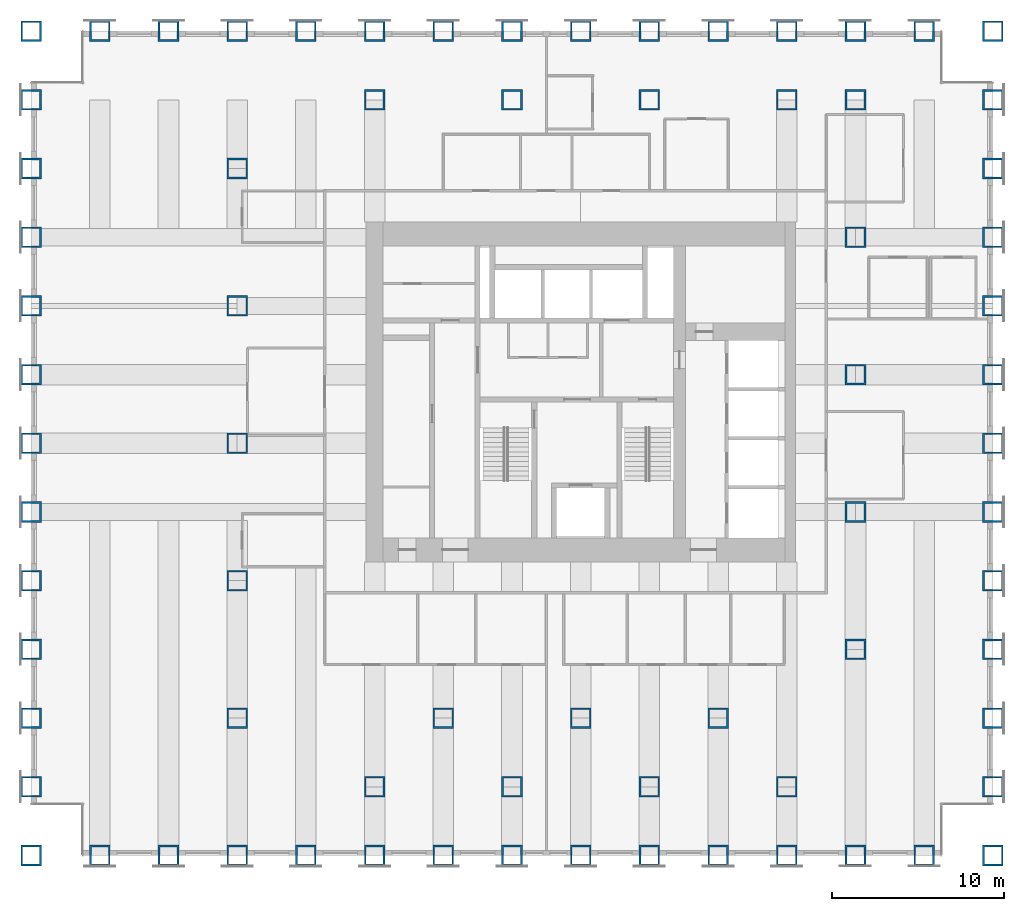
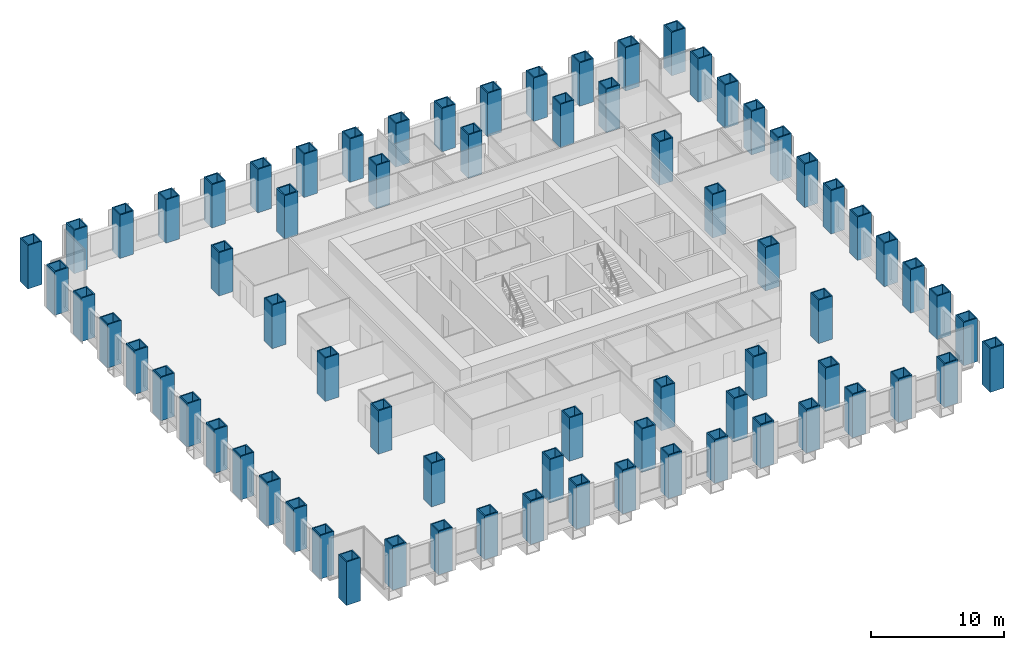
# One storey, part 1 of 14: 73 columns.
"""IFC4 building model written with IfcOpenShell, lengths in metres."""

from ifc_helpers import new_model, si_unit, direction, frame, origin, origin_2d, place, context, subcontext, project, spatial, hollow_rectangle, extrude, material, material_profile, profile_set, type_object, element, save


model = new_model("IFC4")

# Units and contexts
model_context = context("Model", 3, precision=1e-05, world=origin(), true_north=direction((0.0, 1.0)))
body_context = subcontext(model_context, "Body", "Model", "MODEL_VIEW")
ifc_project = project(units=[si_unit("LENGTHUNIT", "METRE"), si_unit("AREAUNIT", "SQUARE_METRE"), si_unit("VOLUMEUNIT", "CUBIC_METRE"), si_unit("PLANEANGLEUNIT", "RADIAN"), si_unit("MASSUNIT", "GRAM", prefix="KILO")], contexts=[model_context])

# Site, building, storey
site_placement = place(None, origin())
site = spatial("IfcSite", under=ifc_project, at=site_placement, CompositionType="ELEMENT")
building_placement = place(site_placement, origin())
building = spatial("IfcBuilding", under=site, at=building_placement, Name="Rimbunsela Tower", CompositionType="ELEMENT")
storey_placement = place(building_placement, frame((0.0, 0.0, 47.0)))
storey = spatial("IfcBuildingStorey", under=building, at=storey_placement, Name="L11", CompositionType="ELEMENT", Elevation=47.0)

# Columns
ifc_material = material(Name="Steel BJ 55 (fy 410 MPa)", Category="steel")
ifc_material_profile = material_profile(ifc_material, hollow_rectangle(XDim=1.199951171875, YDim=1.199951171875, WallThickness=0.10009765625, at=origin_2d()), Name="BOX 1200x1200x100")
ifc_profile_set = profile_set([ifc_material_profile], Name="Steel BJ 55 (fy 410 MPa)")
column_type = type_object("IfcColumnType", Name="Column BOX 1200x1200x100", PredefinedType="COLUMN", material=ifc_profile_set)
for number, where, z_axis, x_axis, name in (
    (1, (-2.0, 0.0, 0.0), (0.0, 0.0, 1.0), (1.0, 0.0, 0.0), "Column C7 2/B L11"),
    (2, (-2.0, 4.0, 0.0), (0.0, 0.0, 1.0), (1.0, 0.0, 0.0), "Column C7 2/C L11"),
    (3, (-2.0, 8.0, 0.0), (0.0, 0.0, 1.0), (1.0, 0.0, 0.0), "Column C7 2/D L11"),
    (4, (-2.0, 12.0, 0.0), (0.0, 0.0, 1.0), (1.0, 0.0, 0.0), "Column C7 2/E L11"),
    (5, (-2.0, 16.0, 0.0), (0.0, 0.0, 1.0), (1.0, 0.0, 0.0), "Column C7 2/F L11"),
    (6, (-2.0, 20.0, 0.0), (0.0, 0.0, 1.0), (1.0, 0.0, 0.0), "Column C7 2/G L11"),
    (7, (-2.0, 24.0, 0.0), (0.0, 0.0, 1.0), (1.0, 0.0, 0.0), "Column C7 2/H L11"),
    (8, (-2.0, 28.0, 0.0), (0.0, 0.0, 1.0), (1.0, 0.0, 0.0), "Column C7 2/J L11"),
    (9, (-2.0, 32.0, 0.0), (0.0, 0.0, 1.0), (1.0, 0.0, 0.0), "Column C7 2/K L11"),
    (10, (-2.0, 36.0, 0.0), (0.0, 0.0, 1.0), (1.0, 0.0, 0.0), "Column C7 2/L L11"),
    (11, (-2.0, 40.0, 0.0), (0.0, 0.0, 1.0), (1.0, 0.0, 0.0), "Column C7 2/M L11"),
    (12, (-2.0, 44.0, 0.0), (0.0, 0.0, 1.0), (1.0, 0.0, 0.0), "Column C7 2/N L11"),
    (13, (-2.0, 48.0, 0.0), (0.0, 0.0, 1.0), (1.0, 0.0, 0.0), "Column C7 2/P L11"),
    (14, (2.0, 0.0, 0.0), (0.0, 0.0, 1.0), (1.0, 0.0, 0.0), "Column C7 3/B L11"),
    (15, (2.0, 48.0, 0.0), (0.0, 0.0, 1.0), (1.0, 0.0, 0.0), "Column C7 3/P L11"),
    (16, (6.0, 0.0, 0.0), (0.0, 0.0, 1.0), (1.0, 0.0, 0.0), "Column C7 4/B L11"),
    (17, (6.0, 48.0, 0.0), (0.0, 0.0, 1.0), (1.0, 0.0, 0.0), "Column C7 4/P L11"),
    (18, (10.0, 0.0, 0.0), (0.0, 0.0, 1.0), (1.0, 0.0, 0.0), "Column C7 5/B L11"),
    (19, (10.0, 48.0, 0.0), (0.0, 0.0, 1.0), (1.0, 0.0, 0.0), "Column C7 5/P L11"),
    (20, (14.0, 0.0, 0.0), (0.0, 0.0, 1.0), (1.0, 0.0, 0.0), "Column C7 6/B L11"),
    (21, (14.0, 48.0, 0.0), (0.0, 0.0, 1.0), (1.0, 0.0, 0.0), "Column C7 6/P L11"),
    (22, (18.0, 0.0, 0.0), (0.0, 0.0, 1.0), (1.0, 0.0, 0.0), "Column C7 7/B L11"),
    (23, (18.0, 48.0, 0.0), (0.0, 0.0, 1.0), (1.0, 0.0, 0.0), "Column C7 7/P L11"),
    (24, (22.0, 0.0, 0.0), (0.0, 0.0, 1.0), (1.0, 0.0, 0.0), "Column C7 8/B L11"),
    (25, (22.0, 48.0, 0.0), (0.0, 0.0, 1.0), (1.0, 0.0, 0.0), "Column C7 8/P L11"),
    (26, (26.0, 0.0, 0.0), (0.0, 0.0, 1.0), (1.0, 0.0, 0.0), "Column C7 9/B L11"),
    (27, (26.0, 48.0, 0.0), (0.0, 0.0, 1.0), (1.0, 0.0, 0.0), "Column C7 9/P L11"),
    (28, (30.0, 0.0, 0.0), (0.0, 0.0, 1.0), (1.0, 0.0, 0.0), "Column C7 10/B L11"),
    (29, (30.0, 48.0, 0.0), (0.0, 0.0, 1.0), (1.0, 0.0, 0.0), "Column C7 10/P L11"),
    (30, (34.0, 0.0, 0.0), (0.0, 0.0, 1.0), (1.0, 0.0, 0.0), "Column C7 11/B L11"),
    (31, (34.0, 48.0, 0.0), (0.0, 0.0, 1.0), (1.0, 0.0, 0.0), "Column C7 11/P L11"),
    (32, (38.0, 0.0, 0.0), (0.0, 0.0, 1.0), (1.0, 0.0, 0.0), "Column C7 12/B L11"),
    (33, (38.0, 48.0, 0.0), (0.0, 0.0, 1.0), (1.0, 0.0, 0.0), "Column C7 12/P L11"),
    (34, (42.0, 0.0, 0.0), (0.0, 0.0, 1.0), (1.0, 0.0, 0.0), "Column C7 13/B L11"),
    (35, (42.0, 48.0, 0.0), (0.0, 0.0, 1.0), (1.0, 0.0, 0.0), "Column C7 13/P L11"),
    (36, (46.0, 0.0, 0.0), (0.0, 0.0, 1.0), (1.0, 0.0, 0.0), "Column C7 14/B L11"),
    (37, (46.0, 48.0, 0.0), (0.0, 0.0, 1.0), (1.0, 0.0, 0.0), "Column C7 14/P L11"),
    (38, (50.0, 0.0, 0.0), (0.0, 0.0, 1.0), (1.0, 0.0, 0.0), "Column C7 15/B L11"),
    (39, (50.0, 48.0, 0.0), (0.0, 0.0, 1.0), (1.0, 0.0, 0.0), "Column C7 15/P L11"),
    (40, (54.0, 0.0, 0.0), (0.0, 0.0, 1.0), (1.0, 0.0, 0.0), "Column C7 16/B L11"),
    (41, (54.0, 4.0, 0.0), (0.0, 0.0, 1.0), (1.0, 0.0, 0.0), "Column C7 16/C L11"),
    (42, (54.0, 8.0, 0.0), (0.0, 0.0, 1.0), (1.0, 0.0, 0.0), "Column C7 16/D L11"),
    (43, (54.0, 12.0, 0.0), (0.0, 0.0, 1.0), (1.0, 0.0, 0.0), "Column C7 16/E L11"),
    (44, (54.0, 16.0, 0.0), (0.0, 0.0, 1.0), (1.0, 0.0, 0.0), "Column C7 16/F L11"),
    (45, (54.0, 20.0, 0.0), (0.0, 0.0, 1.0), (1.0, 0.0, 0.0), "Column C7 16/G L11"),
    (46, (54.0, 24.0, 0.0), (0.0, 0.0, 1.0), (1.0, 0.0, 0.0), "Column C7 16/H L11"),
    (47, (54.0, 28.0, 0.0), (0.0, 0.0, 1.0), (1.0, 0.0, 0.0), "Column C7 16/J L11"),
    (48, (54.0, 32.0, 0.0), (0.0, 0.0, 1.0), (1.0, 0.0, 0.0), "Column C7 16/K L11"),
    (49, (54.0, 36.0, 0.0), (0.0, 0.0, 1.0), (1.0, 0.0, 0.0), "Column C7 16/L L11"),
    (50, (54.0, 40.0, 0.0), (0.0, 0.0, 1.0), (1.0, 0.0, 0.0), "Column C7 16/M L11"),
    (51, (54.0, 44.0, 0.0), (0.0, 0.0, 1.0), (1.0, 0.0, 0.0), "Column C7 16/N L11"),
    (52, (54.0, 48.0, 0.0), (0.0, 0.0, 1.0), (1.0, 0.0, 0.0), "Column C7 16/P L11"),
    (53, (10.0, 8.0, 0.0), (0.0, 0.0, 1.0), (1.0, 0.0, 0.0), "Column C7 5/D L11"),
    (54, (10.0, 16.0, 0.0), (0.0, 0.0, 1.0), (1.0, 0.0, 0.0), "Column C7 5/F L11"),
    (55, (10.0, 24.0, 0.0), (0.0, 0.0, 1.0), (1.0, 0.0, 0.0), "Column C7 5/H L11"),
    (56, (10.0, 32.0, 0.0), (0.0, 0.0, 1.0), (1.0, 0.0, 0.0), "Column C7 5/K L11"),
    (57, (10.0, 40.0, 0.0), (0.0, 0.0, 1.0), (1.0, 0.0, 0.0), "Column C7 5/M L11"),
    (58, (18.0, 4.0, 0.0), (0.0, 0.0, 1.0), (1.0, 0.0, 0.0), "Column C7 7/C L11"),
    (59, (18.0, 44.0, 0.0), (0.0, 0.0, 1.0), (1.0, 0.0, 0.0), "Column C7 7/N L11"),
    (60, (22.0, 8.0, 0.0), (0.0, 0.0, 1.0), (1.0, 0.0, 0.0), "Column C7 8/D L11"),
    (61, (26.0, 4.0, 0.0), (0.0, 0.0, 1.0), (1.0, 0.0, 0.0), "Column C7 9/C L11"),
    (62, (26.0, 44.0, 0.0), (0.0, 0.0, 1.0), (1.0, 0.0, 0.0), "Column C7 9/N L11"),
    (63, (30.0, 8.0, 0.0), (0.0, 0.0, 1.0), (1.0, 0.0, 0.0), "Column C7 10/D L11"),
    (64, (34.0, 4.0, 0.0), (0.0, 0.0, 1.0), (1.0, 0.0, 0.0), "Column C7 11/C L11"),
    (65, (34.0, 44.0, 0.0), (0.0, 0.0, 1.0), (1.0, 0.0, 0.0), "Column C7 11/N L11"),
    (66, (38.0, 8.0, 0.0), (0.0, 0.0, 1.0), (1.0, 0.0, 0.0), "Column C7 12/D L11"),
    (67, (42.0, 4.0, 0.0), (0.0, 0.0, 1.0), (1.0, 0.0, 0.0), "Column C7 13/C L11"),
    (68, (42.0, 44.0, 0.0), (0.0, 0.0, 1.0), (1.0, 0.0, 0.0), "Column C7 13/N L11"),
    (69, (46.0, 12.0, 0.0), (0.0, 0.0, 1.0), (1.0, 0.0, 0.0), "Column C7 14/E L11"),
    (70, (46.0, 20.0, 0.0), (0.0, 0.0, 1.0), (1.0, 0.0, 0.0), "Column C7 14/G L11"),
    (71, (46.0, 28.0, 0.0), (0.0, 0.0, 1.0), (1.0, 0.0, 0.0), "Column C7 14/J L11"),
    (72, (46.0, 36.0, 0.0), (0.0, 0.0, 1.0), (1.0, 0.0, 0.0), "Column C7 14/L L11"),
    (73, (46.0, 44.0, 0.0), (0.0, 0.0, 1.0), (1.0, 0.0, 0.0), "Column C7 14/N L11"),
):
    element("IfcColumn", number, at=place(storey_placement, frame(where, z_axis=z_axis, x_axis=x_axis)), inside=storey, type_object=column_type, Name=name, PredefinedType="COLUMN", context=body_context, shape_type="SweptSolid", body=[
        extrude(hollow_rectangle(XDim=1.199951171875, YDim=1.199951171875, WallThickness=0.10009765625, at=origin_2d()), origin(), (0.0, 0.0, 1.0), 4.0),
    ])

save(model, "model.ifc")
